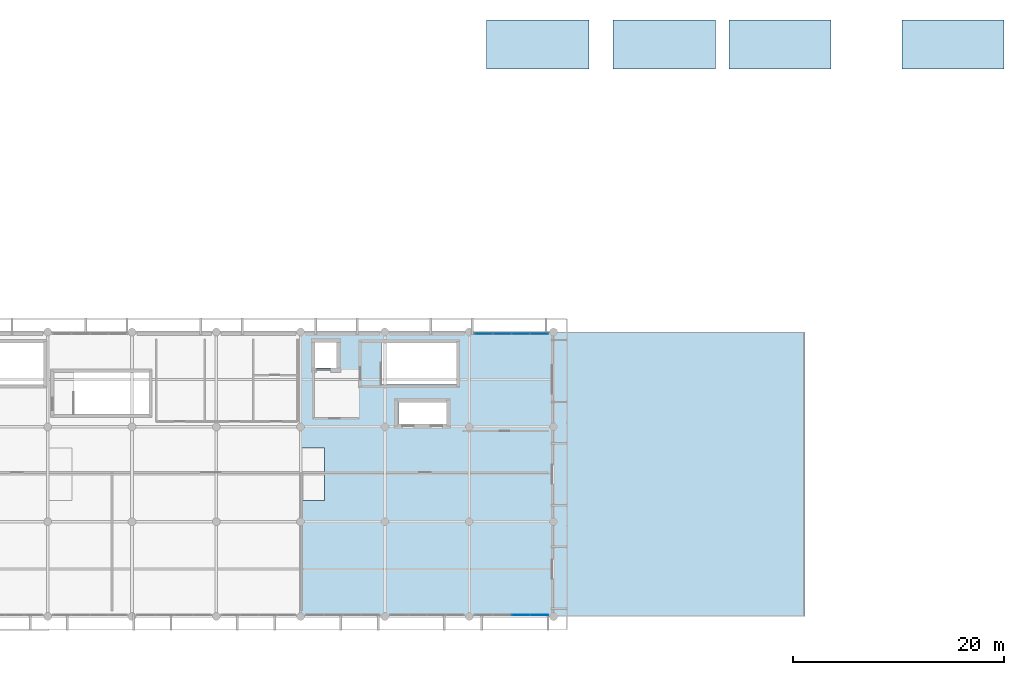
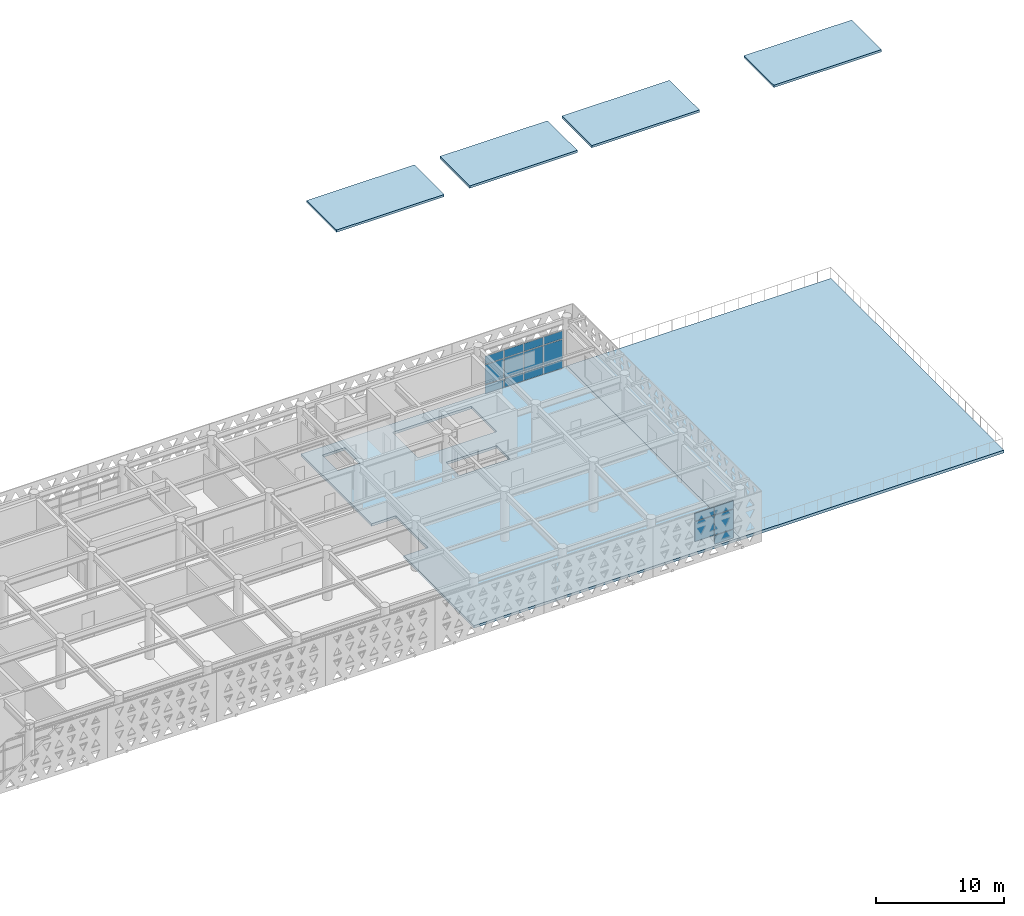
# One storey, part 17 of 26: 17 plates, 6 slabs, 2 elements without a shape of their own.
"""IFC4 building model written with IfcOpenShell, lengths in metres."""

from ifc_helpers import new_model, si_unit, direction, frame, origin, origin_2d, place, context, subcontext, project, spatial, polyline, rectangle, outline, extrude, material, layer, layer_set, type_object, element, aggregate, save


model = new_model("IFC4")

# Units and contexts
model_context = context("Model", 3, precision=1e-05, world=origin(), true_north=direction((0.0, 1.0)))
body_context = subcontext(model_context, "Body", "Model", "MODEL_VIEW")
ifc_project = project(units=[si_unit("LENGTHUNIT", "METRE"), si_unit("AREAUNIT", "SQUARE_METRE"), si_unit("VOLUMEUNIT", "CUBIC_METRE"), si_unit("PLANEANGLEUNIT", "RADIAN"), si_unit("MASSUNIT", "GRAM", prefix="KILO")], contexts=[model_context])

# Site, building, storey
site_placement = place(None, origin())
site = spatial("IfcSite", under=ifc_project, at=site_placement, CompositionType="ELEMENT")
building_placement = place(site_placement, origin())
building = spatial("IfcBuilding", under=site, at=building_placement, Name="Tlacozan Convention Centre", CompositionType="ELEMENT")
storey_placement = place(building_placement, frame((0.0, 0.0, 21.0)))
storey = spatial("IfcBuildingStorey", under=building, at=storey_placement, Name="L04", CompositionType="ELEMENT", Elevation=21.0)

# Slab
ifc_material_1 = material(Name="Concrete C40/50", Category="concrete")
ifc_layer_1 = layer(ifc_material_1, 0.239990234375)
ifc_layer_set_1 = layer_set([ifc_layer_1], Name="Concrete C40/50")
slab_type_1 = type_object("IfcSlabType", Name="Belvedere Congress Floor Slab 240", PredefinedType="FLOOR", material=ifc_layer_set_1)
slab_1_placement = place(storey_placement, frame((0.0, 0.0, -0.239990234375)))
element("IfcSlab", 1, at=slab_1_placement, inside=storey, type_object=slab_type_1, Name="L04 Belvedere Congress Floor Slab 240 87", PredefinedType="FLOOR", context=body_context, shape_type="SweptSolid", body=[
    extrude(outline(polyline([(96.0, 27.0), (96.0, 0.0), (72.050048828125, 0.0), (72.050048828125, 11.0), (74.25, 11.0), (74.25, 16.0), (72.050048828125, 16.0), (72.050048828125, 27.0), (96.0, 27.0)]), holes=[polyline([(85.830078125, 20.330078125), (81.27001953125, 20.330078125), (81.27001953125, 18.27001953125), (85.830078125, 18.27001953125), (85.830078125, 20.330078125)]), polyline([(86.800048828125, 22.0), (86.800048828125, 25.9599609375), (79.679931640625, 25.9599609375), (79.679931640625, 22.0), (86.800048828125, 22.0)]), polyline([(75.419921875, 26.02001953125), (73.3798828125, 26.02001953125), (73.3798828125, 23.580078125), (75.419921875, 23.580078125), (75.419921875, 26.02001953125)])]), origin(), (0.0, 0.0, 1.0), 0.239990234375),
])

# Curtain wall, plates
ifc_material_2 = material(Name="Dark Bronze Anodised Aluminium", Category="aluminium")
ifc_layer_2 = layer(ifc_material_2, 0.159912109375)
ifc_layer_set_2 = layer_set([ifc_layer_2], Name="Dark Bronze Anodised Aluminium")
curtain_wall_type = type_object("IfcCurtainWallType", Name="Unitised Congress L04 South CW05", PredefinedType="NOTDEFINED", material=ifc_layer_set_2)
curtain_wall_1_placement = place(storey_placement, origin())
curtain_wall_1 = element("IfcCurtainWall", 2, at=curtain_wall_1_placement, inside=storey, type_object=curtain_wall_type, Name="L04 CW-05 Run 137", PredefinedType="NOTDEFINED")
ifc_material_3 = material(Name="Solar Control Double Low-E Argon Glazing", Category="glass")
ifc_layer_3 = layer(ifc_material_3, 0.030029296875)
ifc_layer_set_3 = layer_set([ifc_layer_3], Name="Solar Control Double Low-E Argon Glazing")
plate_type_1 = type_object("IfcPlateType", Name="Double Low-E Acoustic CW Panel 30", PredefinedType="CURTAIN_PANEL", material=ifc_layer_set_3)
plate_1_placement = place(storey_placement, frame((89.353759765625, 26.840087890625, 0.06494140625), z_axis=(0.0, 0.0, 1.0), x_axis=(1.0, 0.0, 0.0)))
plate_1 = element("IfcPlate", 3, at=plate_1_placement, type_object=plate_type_1, Name="CW-05 panel 1.1", PredefinedType="CURTAIN_PANEL", context=body_context, shape_type="SweptSolid", body=[
    extrude(rectangle(XDim=1.677490234375, YDim=0.030029296875, at=origin_2d()), origin(), (0.0, 0.0, 1.0), 0.802490234375),
])
plate_2_placement = place(storey_placement, frame((89.353759765625, 26.840087890625, 0.9326171875), z_axis=(0.0, 0.0, 1.0), x_axis=(1.0, 0.0, 0.0)))
plate_2 = element("IfcPlate", 4, at=plate_2_placement, type_object=plate_type_1, Name="CW-05 panel 1.2", PredefinedType="CURTAIN_PANEL", context=body_context, shape_type="SweptSolid", body=[
    extrude(rectangle(XDim=1.677490234375, YDim=0.030029296875, at=origin_2d()), origin(), (0.0, 0.0, 1.0), 1.864990234375),
])
plate_3_placement = place(storey_placement, frame((89.353759765625, 26.840087890625, 2.862548828125), z_axis=(0.0, 0.0, 1.0), x_axis=(1.0, 0.0, 0.0)))
plate_3 = element("IfcPlate", 5, at=plate_3_placement, type_object=plate_type_1, Name="CW-05 panel 1.3", PredefinedType="CURTAIN_PANEL", context=body_context, shape_type="SweptSolid", body=[
    extrude(rectangle(XDim=1.677490234375, YDim=0.030029296875, at=origin_2d()), origin(), (0.0, 0.0, 1.0), 0.75244140625),
])
plate_4_placement = place(storey_placement, frame((91.112548828125, 26.840087890625, 0.06494140625), z_axis=(0.0, 0.0, 1.0), x_axis=(1.0, 0.0, 0.0)))
plate_4 = element("IfcPlate", 6, at=plate_4_placement, type_object=plate_type_1, Name="CW-05 panel 2.1", PredefinedType="CURTAIN_PANEL", context=body_context, shape_type="SweptSolid", body=[
    extrude(rectangle(XDim=1.7099609375, YDim=0.030029296875, at=origin_2d()), origin(), (0.0, 0.0, 1.0), 0.802490234375),
])
plate_5_placement = place(storey_placement, frame((91.112548828125, 26.840087890625, 0.9326171875), z_axis=(0.0, 0.0, 1.0), x_axis=(1.0, 0.0, 0.0)))
plate_5 = element("IfcPlate", 7, at=plate_5_placement, type_object=plate_type_1, Name="CW-05 panel 2.2", PredefinedType="CURTAIN_PANEL", context=body_context, shape_type="SweptSolid", body=[
    extrude(rectangle(XDim=1.7099609375, YDim=0.030029296875, at=origin_2d()), origin(), (0.0, 0.0, 1.0), 1.864990234375),
])
plate_6_placement = place(storey_placement, frame((91.112548828125, 26.840087890625, 2.862548828125), z_axis=(0.0, 0.0, 1.0), x_axis=(1.0, 0.0, 0.0)))
plate_6 = element("IfcPlate", 8, at=plate_6_placement, type_object=plate_type_1, Name="CW-05 panel 2.3", PredefinedType="CURTAIN_PANEL", context=body_context, shape_type="SweptSolid", body=[
    extrude(rectangle(XDim=1.7099609375, YDim=0.030029296875, at=origin_2d()), origin(), (0.0, 0.0, 1.0), 0.75244140625),
])
plate_7_placement = place(storey_placement, frame((92.887451171875, 26.840087890625, 0.06494140625), z_axis=(0.0, 0.0, 1.0), x_axis=(1.0, 0.0, 0.0)))
plate_7 = element("IfcPlate", 9, at=plate_7_placement, type_object=plate_type_1, Name="CW-05 panel 3.1", PredefinedType="CURTAIN_PANEL", context=body_context, shape_type="SweptSolid", body=[
    extrude(rectangle(XDim=1.7099609375, YDim=0.030029296875, at=origin_2d()), origin(), (0.0, 0.0, 1.0), 0.802490234375),
])
plate_8_placement = place(storey_placement, frame((92.887451171875, 26.840087890625, 0.9326171875), z_axis=(0.0, 0.0, 1.0), x_axis=(1.0, 0.0, 0.0)))
plate_8 = element("IfcPlate", 10, at=plate_8_placement, type_object=plate_type_1, Name="CW-05 panel 3.2", PredefinedType="CURTAIN_PANEL", context=body_context, shape_type="SweptSolid", body=[
    extrude(rectangle(XDim=1.7099609375, YDim=0.030029296875, at=origin_2d()), origin(), (0.0, 0.0, 1.0), 1.864990234375),
])
plate_9_placement = place(storey_placement, frame((92.887451171875, 26.840087890625, 2.862548828125), z_axis=(0.0, 0.0, 1.0), x_axis=(1.0, 0.0, 0.0)))
plate_9 = element("IfcPlate", 11, at=plate_9_placement, type_object=plate_type_1, Name="CW-05 panel 3.3", PredefinedType="CURTAIN_PANEL", context=body_context, shape_type="SweptSolid", body=[
    extrude(rectangle(XDim=1.7099609375, YDim=0.030029296875, at=origin_2d()), origin(), (0.0, 0.0, 1.0), 0.75244140625),
])
plate_10_placement = place(storey_placement, frame((94.646240234375, 26.840087890625, 0.06494140625), z_axis=(0.0, 0.0, 1.0), x_axis=(1.0, 0.0, 0.0)))
plate_10 = element("IfcPlate", 12, at=plate_10_placement, type_object=plate_type_1, Name="CW-05 panel 4.1", PredefinedType="CURTAIN_PANEL", context=body_context, shape_type="SweptSolid", body=[
    extrude(rectangle(XDim=1.677490234375, YDim=0.030029296875, at=origin_2d()), origin(), (0.0, 0.0, 1.0), 0.802490234375),
])
plate_11_placement = place(storey_placement, frame((94.646240234375, 26.840087890625, 0.9326171875), z_axis=(0.0, 0.0, 1.0), x_axis=(1.0, 0.0, 0.0)))
plate_11 = element("IfcPlate", 13, at=plate_11_placement, type_object=plate_type_1, Name="CW-05 panel 4.2", PredefinedType="CURTAIN_PANEL", context=body_context, shape_type="SweptSolid", body=[
    extrude(rectangle(XDim=1.677490234375, YDim=0.030029296875, at=origin_2d()), origin(), (0.0, 0.0, 1.0), 1.864990234375),
])
plate_12_placement = place(storey_placement, frame((94.646240234375, 26.840087890625, 2.862548828125), z_axis=(0.0, 0.0, 1.0), x_axis=(1.0, 0.0, 0.0)))
plate_12 = element("IfcPlate", 14, at=plate_12_placement, type_object=plate_type_1, Name="CW-05 panel 4.3", PredefinedType="CURTAIN_PANEL", context=body_context, shape_type="SweptSolid", body=[
    extrude(rectangle(XDim=1.677490234375, YDim=0.030029296875, at=origin_2d()), origin(), (0.0, 0.0, 1.0), 0.75244140625),
])
aggregate(curtain_wall_1, [plate_1, plate_2, plate_3, plate_4, plate_5, plate_6, plate_7, plate_8, plate_9, plate_10, plate_11, plate_12])

curtain_wall_2_placement = place(storey_placement, origin())
curtain_wall_2 = element("IfcCurtainWall", 15, at=curtain_wall_2_placement, inside=storey, type_object=curtain_wall_type, Name="L04 CW-05 Run 133", PredefinedType="NOTDEFINED")
ifc_layer_4 = layer(ifc_material_3, 0.0400390625)
ifc_layer_set_4 = layer_set([ifc_layer_4], Name="Solar Control Double Low-E Argon Glazing")
plate_type_2 = type_object("IfcPlateType", Name="Insulated Spandrel CW Panel 40", PredefinedType="CURTAIN_PANEL", material=ifc_layer_set_4)
plate_13_placement = place(storey_placement, frame((92.887451171875, 0.159912109375, 0.9326171875), z_axis=(0.0, 0.0, 1.0), x_axis=(1.0, 0.0, 0.0)))
plate_13 = element("IfcPlate", 16, at=plate_13_placement, type_object=plate_type_2, Name="CW-05 panel 3.2", PredefinedType="CURTAIN_PANEL", context=body_context, shape_type="SweptSolid", body=[
    extrude(rectangle(XDim=1.7099609375, YDim=0.0400390625, at=origin_2d()), origin(), (0.0, 0.0, 1.0), 1.864990234375),
])
plate_14_placement = place(storey_placement, frame((92.887451171875, 0.159912109375, 2.862548828125), z_axis=(0.0, 0.0, 1.0), x_axis=(1.0, 0.0, 0.0)))
plate_14 = element("IfcPlate", 17, at=plate_14_placement, type_object=plate_type_2, Name="CW-05 panel 3.3", PredefinedType="CURTAIN_PANEL", context=body_context, shape_type="SweptSolid", body=[
    extrude(rectangle(XDim=1.7099609375, YDim=0.0400390625, at=origin_2d()), origin(), (0.0, 0.0, 1.0), 0.75244140625),
])
plate_15_placement = place(storey_placement, frame((94.646240234375, 0.159912109375, 0.06494140625), z_axis=(0.0, 0.0, 1.0), x_axis=(1.0, 0.0, 0.0)))
plate_15 = element("IfcPlate", 18, at=plate_15_placement, type_object=plate_type_2, Name="CW-05 panel 4.1", PredefinedType="CURTAIN_PANEL", context=body_context, shape_type="SweptSolid", body=[
    extrude(rectangle(XDim=1.677490234375, YDim=0.0400390625, at=origin_2d()), origin(), (0.0, 0.0, 1.0), 0.802490234375),
])
plate_16_placement = place(storey_placement, frame((94.646240234375, 0.159912109375, 0.9326171875), z_axis=(0.0, 0.0, 1.0), x_axis=(1.0, 0.0, 0.0)))
plate_16 = element("IfcPlate", 19, at=plate_16_placement, type_object=plate_type_2, Name="CW-05 panel 4.2", PredefinedType="CURTAIN_PANEL", context=body_context, shape_type="SweptSolid", body=[
    extrude(rectangle(XDim=1.677490234375, YDim=0.0400390625, at=origin_2d()), origin(), (0.0, 0.0, 1.0), 1.864990234375),
])
plate_17_placement = place(storey_placement, frame((94.646240234375, 0.159912109375, 2.862548828125), z_axis=(0.0, 0.0, 1.0), x_axis=(1.0, 0.0, 0.0)))
plate_17 = element("IfcPlate", 20, at=plate_17_placement, type_object=plate_type_2, Name="CW-05 panel 4.3", PredefinedType="CURTAIN_PANEL", context=body_context, shape_type="SweptSolid", body=[
    extrude(rectangle(XDim=1.677490234375, YDim=0.0400390625, at=origin_2d()), origin(), (0.0, 0.0, 1.0), 0.75244140625),
])
aggregate(curtain_wall_2, [plate_13, plate_14, plate_15, plate_16, plate_17])

# Slabs
ifc_layer_5 = layer(ifc_material_1, 0.27001953125)
ifc_layer_set_5 = layer_set([ifc_layer_5], Name="Concrete C40/50")
slab_type_2 = type_object("IfcSlabType", Name="Outdoor Belvedere Terrace Slab 270", PredefinedType="FLOOR", material=ifc_layer_set_5)
slab_2_placement = place(storey_placement, frame((0.0, 0.0, -0.27001953125)))
element("IfcSlab", 21, at=slab_2_placement, inside=storey, type_object=slab_type_2, Name="L04 Outdoor Belvedere Terrace Slab 270 88", PredefinedType="FLOOR", context=body_context, shape_type="SweptSolid", body=[
    extrude(outline(polyline([(96.0, 0.0), (96.0, 27.0), (119.800048828125, 27.0), (119.800048828125, 0.0), (96.0, 0.0)])), origin(), (0.0, 0.0, 1.0), 0.27001953125),
])
ifc_layer_6 = layer(ifc_material_1, 0.219970703125)
ifc_layer_set_6 = layer_set([ifc_layer_6], Name="Concrete C40/50")
slab_type_3 = type_object("IfcSlabType", Name="Service Wing Roof Slab 220", PredefinedType="ROOF", material=ifc_layer_set_6)
slab_3_placement = place(storey_placement, frame((0.0, 0.0, -0.199951171875)))
element("IfcSlab", 22, at=slab_3_placement, inside=storey, type_object=slab_type_3, Name="L04 Stair ST-03 Headhouse Cap", PredefinedType="ROOF", context=body_context, shape_type="SweptSolid", body=[
    extrude(outline(polyline([(129.050048828125, 51.949951171875), (138.75, 51.949951171875), (138.75, 56.610107421875), (129.050048828125, 56.610107421875), (129.050048828125, 51.949951171875)])), origin(), (0.0, 0.0, 1.0), 0.219970703125),
])
slab_4_placement = place(storey_placement, frame((0.0, 0.0, -0.199951171875)))
element("IfcSlab", 23, at=slab_4_placement, inside=storey, type_object=slab_type_3, Name="L04 Stair ST-06 Headhouse Cap", PredefinedType="ROOF", context=body_context, shape_type="SweptSolid", body=[
    extrude(outline(polyline([(89.64990234375, 51.949951171875), (99.35009765625, 51.949951171875), (99.35009765625, 56.610107421875), (89.64990234375, 56.610107421875), (89.64990234375, 51.949951171875)])), origin(), (0.0, 0.0, 1.0), 0.219970703125),
])
slab_5_placement = place(storey_placement, frame((0.0, 0.0, -0.199951171875)))
element("IfcSlab", 24, at=slab_5_placement, inside=storey, type_object=slab_type_3, Name="L04 Stair ST-17 Headhouse Cap", PredefinedType="ROOF", context=body_context, shape_type="SweptSolid", body=[
    extrude(outline(polyline([(101.64990234375, 51.949951171875), (111.35009765625, 51.949951171875), (111.35009765625, 56.610107421875), (101.64990234375, 56.610107421875), (101.64990234375, 51.949951171875)])), origin(), (0.0, 0.0, 1.0), 0.219970703125),
])
slab_6_placement = place(storey_placement, frame((0.0, 0.0, -0.199951171875)))
element("IfcSlab", 25, at=slab_6_placement, inside=storey, type_object=slab_type_3, Name="L04 Stair ST-18 Headhouse Cap", PredefinedType="ROOF", context=body_context, shape_type="SweptSolid", body=[
    extrude(outline(polyline([(112.64990234375, 51.949951171875), (122.35009765625, 51.949951171875), (122.35009765625, 56.610107421875), (112.64990234375, 56.610107421875), (112.64990234375, 51.949951171875)])), origin(), (0.0, 0.0, 1.0), 0.219970703125),
])

save(model, "model.ifc")
